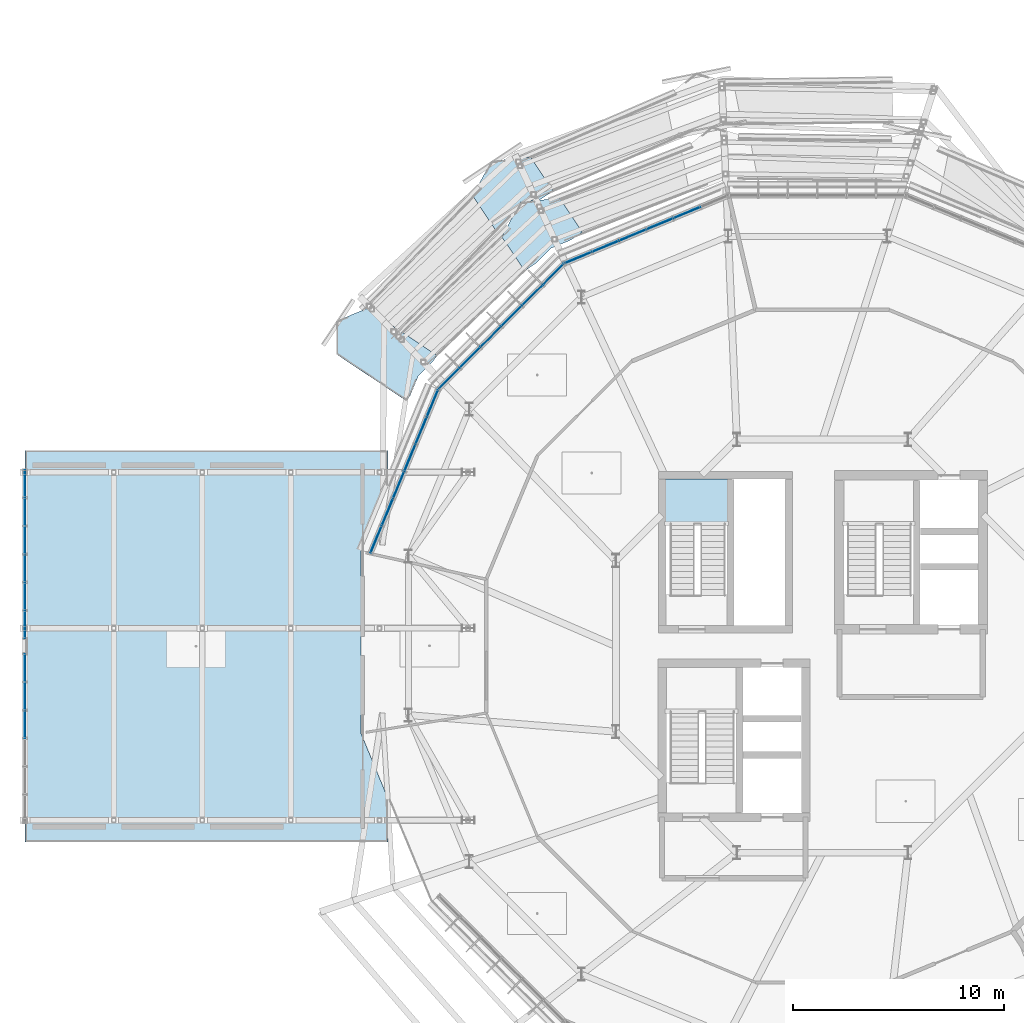
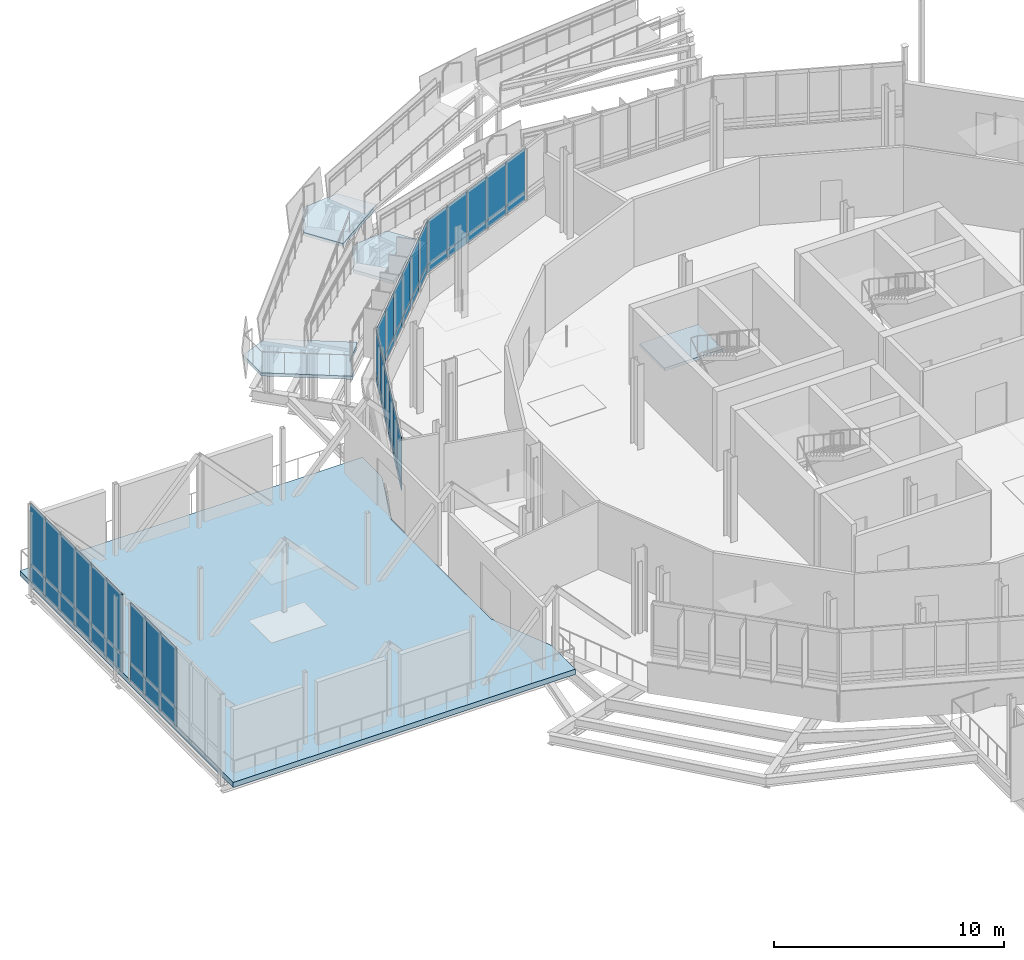
# One storey, part 90 of 139: 52 plates, 5 slabs, 7 elements without a shape of their own.
"""IFC4 building model written with IfcOpenShell, lengths in metres."""

from ifc_helpers import new_model, si_unit, derived_unit, direction, frame, origin, origin_2d, place, context, subcontext, project, spatial, polyline, rectangle, outline, extrude, material, layer, layer_set, type_object, element, aggregate, save


model = new_model("IFC4")

# Units and contexts
model_context = context("Model", 3, precision=1e-05, world=origin(), true_north=direction((0.0, 1.0)))
body_context = subcontext(model_context, "Body", "Model", "MODEL_VIEW")
ifc_project = project(units=[si_unit("LENGTHUNIT", "METRE"), si_unit("AREAUNIT", "SQUARE_METRE"), si_unit("VOLUMEUNIT", "CUBIC_METRE"), si_unit("PLANEANGLEUNIT", "RADIAN"), si_unit("MASSUNIT", "GRAM", prefix="KILO"), derived_unit("THERMALTRANSMITTANCEUNIT", [(si_unit("MASSUNIT", "GRAM", prefix="KILO"), 1), (si_unit("TIMEUNIT", "SECOND"), -3), (si_unit("THERMODYNAMICTEMPERATUREUNIT", "KELVIN"), -1)])], contexts=[model_context])

# Site, building, storey
site_placement = place(None, origin())
site = spatial("IfcSite", under=ifc_project, at=site_placement, CompositionType="ELEMENT")
building_placement = place(site_placement, origin())
building = spatial("IfcBuilding", under=site, at=building_placement, Name="Makaiwela Harbour Ferry Terminal", CompositionType="ELEMENT")
storey_placement = place(building_placement, frame((0.0, 0.0, 5.10009765625)))
storey = spatial("IfcBuildingStorey", under=building, at=storey_placement, Name="L01", CompositionType="ELEMENT", Elevation=5.10009765625)

# Curtain wall, plates
ifc_material_1 = material(Name="Marine anodised aluminium 6063-T6", Category="aluminium")
ifc_layer_1 = layer(ifc_material_1, 0.199951171875)
ifc_layer_set_1 = layer_set([ifc_layer_1], Name="Marine anodised aluminium 6063-T6")
curtain_wall_type_1 = type_object("IfcCurtainWallType", Name="ENV-CW-03", PredefinedType="USERDEFINED", material=ifc_layer_set_1)
curtain_wall_1_placement = place(storey_placement, origin())
curtain_wall_1 = element("IfcCurtainWall", 1, at=curtain_wall_1_placement, inside=storey, type_object=curtain_wall_type_1, Name="Unitised Curtain Wall CWA-013", ObjectType="UNITIZED CURTAIN WALL", PredefinedType="USERDEFINED")
ifc_material_2 = material(Name="Laminated hurricane-impact low-E insulated glazing", Category="glass")
ifc_layer_2 = layer(ifc_material_2, 0.031982421875)
ifc_layer_set_2 = layer_set([ifc_layer_2], Name="Laminated hurricane-impact low-E insulated glazing")
plate_type_1 = type_object("IfcPlateType", Name="CW-PNL-G05", PredefinedType="CURTAIN_PANEL", material=ifc_layer_set_2)
plate_1_placement = place(storey_placement, frame((31.37548828125, 88.15283203125, 1.89990234375), z_axis=(0.0, 0.0, 1.0), x_axis=(-0.923879532511, -0.382683432365, 0.0)))
plate_1 = element("IfcPlate", 2, at=plate_1_placement, type_object=plate_type_1, Name="Glazed Vision Panel CWA-013-2G", PredefinedType="CURTAIN_PANEL", context=body_context, shape_type="SweptSolid", body=[
    extrude(rectangle(XDim=1.39453125, YDim=0.031982421875, at=origin_2d()), origin(), (0.0, 0.0, 1.0), 2.340087890625),
])
plate_2_placement = place(storey_placement, frame((30.087158203125, 87.619140625, 1.89990234375), z_axis=(0.0, 0.0, 1.0), x_axis=(-0.923879532511, -0.382683432365, 0.0)))
plate_2 = element("IfcPlate", 3, at=plate_2_placement, type_object=plate_type_1, Name="Glazed Vision Panel CWA-013-3G", PredefinedType="CURTAIN_PANEL", context=body_context, shape_type="SweptSolid", body=[
    extrude(rectangle(XDim=1.39453125, YDim=0.031982421875, at=origin_2d()), origin(), (0.0, 0.0, 1.0), 2.340087890625),
])
plate_3_placement = place(storey_placement, frame((28.798583984375, 87.08544921875, 1.89990234375), z_axis=(0.0, 0.0, 1.0), x_axis=(-0.923879532511, -0.382683432365, 0.0)))
plate_3 = element("IfcPlate", 4, at=plate_3_placement, type_object=plate_type_1, Name="Glazed Vision Panel CWA-013-4G", PredefinedType="CURTAIN_PANEL", context=body_context, shape_type="SweptSolid", body=[
    extrude(rectangle(XDim=1.39453125, YDim=0.031982421875, at=origin_2d()), origin(), (0.0, 0.0, 1.0), 2.340087890625),
])
plate_4_placement = place(storey_placement, frame((27.510009765625, 86.5517578125, 1.89990234375), z_axis=(0.0, 0.0, 1.0), x_axis=(-0.923879532511, -0.382683432365, 0.0)))
plate_4 = element("IfcPlate", 5, at=plate_4_placement, type_object=plate_type_1, Name="Glazed Vision Panel CWA-013-5G", PredefinedType="CURTAIN_PANEL", context=body_context, shape_type="SweptSolid", body=[
    extrude(rectangle(XDim=1.39453125, YDim=0.031982421875, at=origin_2d()), origin(), (0.0, 0.0, 1.0), 2.340087890625),
])
plate_5_placement = place(storey_placement, frame((26.2216796875, 86.01806640625, 1.89990234375), z_axis=(0.0, 0.0, 1.0), x_axis=(-0.923879532511, -0.382683432365, 0.0)))
plate_5 = element("IfcPlate", 6, at=plate_5_placement, type_object=plate_type_1, Name="Glazed Vision Panel CWA-013-6G", PredefinedType="CURTAIN_PANEL", context=body_context, shape_type="SweptSolid", body=[
    extrude(rectangle(XDim=1.39453125, YDim=0.031982421875, at=origin_2d()), origin(), (0.0, 0.0, 1.0), 2.340087890625),
])

curtain_wall_2_placement = place(storey_placement, origin())
curtain_wall_2 = element("IfcCurtainWall", 7, at=curtain_wall_2_placement, inside=storey, type_object=curtain_wall_type_1, Name="Unitised Curtain Wall CWA-014", ObjectType="UNITIZED CURTAIN WALL", PredefinedType="USERDEFINED")
plate_6_placement = place(storey_placement, frame((25.035400390625, 85.225341796875, 1.89990234375), z_axis=(0.0, 0.0, 1.0), x_axis=(-0.707106781187, -0.707106781187, 0.0)))
plate_6 = element("IfcPlate", 8, at=plate_6_placement, type_object=plate_type_1, Name="Glazed Vision Panel CWA-014-1G", PredefinedType="CURTAIN_PANEL", context=body_context, shape_type="SweptSolid", body=[
    extrude(rectangle(XDim=1.394775390625, YDim=0.031982421875, at=origin_2d()), origin(), (0.0, 0.0, 1.0), 2.340087890625),
])
plate_7_placement = place(storey_placement, frame((24.04931640625, 84.2392578125, 1.89990234375), z_axis=(0.0, 0.0, 1.0), x_axis=(-0.707106781187, -0.707106781187, 0.0)))
plate_7 = element("IfcPlate", 9, at=plate_7_placement, type_object=plate_type_1, Name="Glazed Vision Panel CWA-014-2G", PredefinedType="CURTAIN_PANEL", context=body_context, shape_type="SweptSolid", body=[
    extrude(rectangle(XDim=1.394775390625, YDim=0.031982421875, at=origin_2d()), origin(), (0.0, 0.0, 1.0), 2.340087890625),
])
plate_8_placement = place(storey_placement, frame((23.06298828125, 83.253173828125, 1.89990234375), z_axis=(0.0, 0.0, 1.0), x_axis=(-0.707106781187, -0.707106781187, 0.0)))
plate_8 = element("IfcPlate", 10, at=plate_8_placement, type_object=plate_type_1, Name="Glazed Vision Panel CWA-014-3G", PredefinedType="CURTAIN_PANEL", context=body_context, shape_type="SweptSolid", body=[
    extrude(rectangle(XDim=1.394775390625, YDim=0.031982421875, at=origin_2d()), origin(), (0.0, 0.0, 1.0), 2.340087890625),
])
plate_9_placement = place(storey_placement, frame((22.076904296875, 82.266845703125, 1.89990234375), z_axis=(0.0, 0.0, 1.0), x_axis=(-0.707106781187, -0.707106781187, 0.0)))
plate_9 = element("IfcPlate", 11, at=plate_9_placement, type_object=plate_type_1, Name="Glazed Vision Panel CWA-014-4G", PredefinedType="CURTAIN_PANEL", context=body_context, shape_type="SweptSolid", body=[
    extrude(rectangle(XDim=1.394775390625, YDim=0.031982421875, at=origin_2d()), origin(), (0.0, 0.0, 1.0), 2.340087890625),
])
plate_10_placement = place(storey_placement, frame((21.0908203125, 81.28076171875, 1.89990234375), z_axis=(0.0, 0.0, 1.0), x_axis=(-0.707106781187, -0.707106781187, 0.0)))
plate_10 = element("IfcPlate", 12, at=plate_10_placement, type_object=plate_type_1, Name="Glazed Vision Panel CWA-014-5G", PredefinedType="CURTAIN_PANEL", context=body_context, shape_type="SweptSolid", body=[
    extrude(rectangle(XDim=1.394775390625, YDim=0.031982421875, at=origin_2d()), origin(), (0.0, 0.0, 1.0), 2.340087890625),
])
plate_11_placement = place(storey_placement, frame((20.1044921875, 80.294677734375, 1.89990234375), z_axis=(0.0, 0.0, 1.0), x_axis=(-0.707106781187, -0.707106781187, 0.0)))
plate_11 = element("IfcPlate", 13, at=plate_11_placement, type_object=plate_type_1, Name="Glazed Vision Panel CWA-014-6G", PredefinedType="CURTAIN_PANEL", context=body_context, shape_type="SweptSolid", body=[
    extrude(rectangle(XDim=1.394775390625, YDim=0.031982421875, at=origin_2d()), origin(), (0.0, 0.0, 1.0), 2.340087890625),
])

curtain_wall_3_placement = place(storey_placement, origin())
curtain_wall_3 = element("IfcCurtainWall", 14, at=curtain_wall_3_placement, inside=storey, type_object=curtain_wall_type_1, Name="Unitised Curtain Wall CWA-015", ObjectType="UNITIZED CURTAIN WALL", PredefinedType="USERDEFINED")
plate_12_placement = place(storey_placement, frame((19.31201171875, 79.1083984375, 1.89990234375), z_axis=(0.0, 0.0, 1.0), x_axis=(-0.382683432365, -0.923879532511, 0.0)))
plate_12 = element("IfcPlate", 15, at=plate_12_placement, type_object=plate_type_1, Name="Glazed Vision Panel CWA-015-1G", PredefinedType="CURTAIN_PANEL", context=body_context, shape_type="SweptSolid", body=[
    extrude(rectangle(XDim=1.39453125, YDim=0.031982421875, at=origin_2d()), origin(), (0.0, 0.0, 1.0), 2.340087890625),
])
plate_13_placement = place(storey_placement, frame((18.7783203125, 77.81982421875, 1.89990234375), z_axis=(0.0, 0.0, 1.0), x_axis=(-0.382683432365, -0.923879532511, 0.0)))
plate_13 = element("IfcPlate", 16, at=plate_13_placement, type_object=plate_type_1, Name="Glazed Vision Panel CWA-015-2G", PredefinedType="CURTAIN_PANEL", context=body_context, shape_type="SweptSolid", body=[
    extrude(rectangle(XDim=1.39453125, YDim=0.031982421875, at=origin_2d()), origin(), (0.0, 0.0, 1.0), 2.340087890625),
])
plate_14_placement = place(storey_placement, frame((18.244384765625, 76.531494140625, 1.89990234375), z_axis=(0.0, 0.0, 1.0), x_axis=(-0.382683432365, -0.923879532511, 0.0)))
plate_14 = element("IfcPlate", 17, at=plate_14_placement, type_object=plate_type_1, Name="Glazed Vision Panel CWA-015-3G", PredefinedType="CURTAIN_PANEL", context=body_context, shape_type="SweptSolid", body=[
    extrude(rectangle(XDim=1.39453125, YDim=0.031982421875, at=origin_2d()), origin(), (0.0, 0.0, 1.0), 2.340087890625),
])
plate_15_placement = place(storey_placement, frame((17.710693359375, 75.242919921875, 1.89990234375), z_axis=(0.0, 0.0, 1.0), x_axis=(-0.382683432365, -0.923879532511, 0.0)))
plate_15 = element("IfcPlate", 18, at=plate_15_placement, type_object=plate_type_1, Name="Glazed Vision Panel CWA-015-4G", PredefinedType="CURTAIN_PANEL", context=body_context, shape_type="SweptSolid", body=[
    extrude(rectangle(XDim=1.39453125, YDim=0.031982421875, at=origin_2d()), origin(), (0.0, 0.0, 1.0), 2.340087890625),
])
plate_16_placement = place(storey_placement, frame((17.177001953125, 73.954345703125, 1.89990234375), z_axis=(0.0, 0.0, 1.0), x_axis=(-0.382683432365, -0.923879532511, 0.0)))
plate_16 = element("IfcPlate", 19, at=plate_16_placement, type_object=plate_type_1, Name="Glazed Vision Panel CWA-015-5G", PredefinedType="CURTAIN_PANEL", context=body_context, shape_type="SweptSolid", body=[
    extrude(rectangle(XDim=1.39453125, YDim=0.031982421875, at=origin_2d()), origin(), (0.0, 0.0, 1.0), 2.340087890625),
])
plate_17_placement = place(storey_placement, frame((16.643310546875, 72.666015625, 1.89990234375), z_axis=(0.0, 0.0, 1.0), x_axis=(-0.382683432365, -0.923879532511, 0.0)))
plate_17 = element("IfcPlate", 20, at=plate_17_placement, type_object=plate_type_1, Name="Glazed Vision Panel CWA-015-6G", PredefinedType="CURTAIN_PANEL", context=body_context, shape_type="SweptSolid", body=[
    extrude(rectangle(XDim=1.39453125, YDim=0.031982421875, at=origin_2d()), origin(), (0.0, 0.0, 1.0), 2.340087890625),
])

ifc_layer_3 = layer(ifc_material_1, 0.199951171875)
ifc_layer_set_3 = layer_set([ifc_layer_3], Name="Marine anodised aluminium 6063-T6")
curtain_wall_type_2 = type_object("IfcCurtainWallType", Name="ENV-CW-22", PredefinedType="USERDEFINED", material=ifc_layer_set_3)
curtain_wall_4_placement = place(storey_placement, origin())
curtain_wall_4 = element("IfcCurtainWall", 21, at=curtain_wall_4_placement, inside=storey, type_object=curtain_wall_type_2, Name="Unitised Curtain Wall CWA-136", ObjectType="UNITIZED CURTAIN WALL", PredefinedType="USERDEFINED")
ifc_layer_4 = layer(ifc_material_2, 0.031982421875)
ifc_layer_set_4 = layer_set([ifc_layer_4], Name="Laminated hurricane-impact low-E insulated glazing")
plate_type_2 = type_object("IfcPlateType", Name="CW-PNL-G28", PredefinedType="CURTAIN_PANEL", material=ifc_layer_set_4)
plate_18_placement = place(storey_placement, frame((0.0, 63.902587890625, 0.94970703125), z_axis=(0.0, 0.0, 1.0), x_axis=(0.0, 1.0, 0.0)))
plate_18 = element("IfcPlate", 22, at=plate_18_placement, type_object=plate_type_2, Name="Glazed Vision Panel CWA-136-4G", PredefinedType="CURTAIN_PANEL", context=body_context, shape_type="SweptSolid", body=[
    extrude(rectangle(XDim=1.3349609375, YDim=0.031982421875, at=origin_2d()), origin(), (0.0, 0.0, 1.0), 3.199951171875),
])
plate_19_placement = place(storey_placement, frame((0.0, 65.237548828125, 0.94970703125), z_axis=(0.0, 0.0, 1.0), x_axis=(0.0, 1.0, 0.0)))
plate_19 = element("IfcPlate", 23, at=plate_19_placement, type_object=plate_type_2, Name="Glazed Vision Panel CWA-136-5G", PredefinedType="CURTAIN_PANEL", context=body_context, shape_type="SweptSolid", body=[
    extrude(rectangle(XDim=1.3349609375, YDim=0.031982421875, at=origin_2d()), origin(), (0.0, 0.0, 1.0), 3.199951171875),
])
plate_20_placement = place(storey_placement, frame((0.0, 66.572509765625, 0.94970703125), z_axis=(0.0, 0.0, 1.0), x_axis=(0.0, 1.0, 0.0)))
plate_20 = element("IfcPlate", 24, at=plate_20_placement, type_object=plate_type_2, Name="Glazed Vision Panel CWA-136-6G", PredefinedType="CURTAIN_PANEL", context=body_context, shape_type="SweptSolid", body=[
    extrude(rectangle(XDim=1.3349609375, YDim=0.031982421875, at=origin_2d()), origin(), (0.0, 0.0, 1.0), 3.199951171875),
])

curtain_wall_5_placement = place(storey_placement, origin())
curtain_wall_5 = element("IfcCurtainWall", 25, at=curtain_wall_5_placement, inside=storey, type_object=curtain_wall_type_2, Name="Unitised Curtain Wall CWA-137", ObjectType="UNITIZED CURTAIN WALL", PredefinedType="USERDEFINED")
plate_21_placement = place(storey_placement, frame((0.0, 68.62744140625, 0.94970703125), z_axis=(0.0, 0.0, 1.0), x_axis=(0.0, 1.0, 0.0)))
plate_21 = element("IfcPlate", 26, at=plate_21_placement, type_object=plate_type_2, Name="Glazed Vision Panel CWA-137-1G", PredefinedType="CURTAIN_PANEL", context=body_context, shape_type="SweptSolid", body=[
    extrude(rectangle(XDim=1.3349609375, YDim=0.031982421875, at=origin_2d()), origin(), (0.0, 0.0, 1.0), 3.199951171875),
])
plate_22_placement = place(storey_placement, frame((0.0, 69.96240234375, 0.94970703125), z_axis=(0.0, 0.0, 1.0), x_axis=(0.0, 1.0, 0.0)))
plate_22 = element("IfcPlate", 27, at=plate_22_placement, type_object=plate_type_2, Name="Glazed Vision Panel CWA-137-2G", PredefinedType="CURTAIN_PANEL", context=body_context, shape_type="SweptSolid", body=[
    extrude(rectangle(XDim=1.3349609375, YDim=0.031982421875, at=origin_2d()), origin(), (0.0, 0.0, 1.0), 3.199951171875),
])
plate_23_placement = place(storey_placement, frame((0.0, 71.297607421875, 0.94970703125), z_axis=(0.0, 0.0, 1.0), x_axis=(0.0, 1.0, 0.0)))
plate_23 = element("IfcPlate", 28, at=plate_23_placement, type_object=plate_type_2, Name="Glazed Vision Panel CWA-137-3G", PredefinedType="CURTAIN_PANEL", context=body_context, shape_type="SweptSolid", body=[
    extrude(rectangle(XDim=1.3349609375, YDim=0.031982421875, at=origin_2d()), origin(), (0.0, 0.0, 1.0), 3.199951171875),
])
plate_24_placement = place(storey_placement, frame((0.0, 72.632568359375, 0.94970703125), z_axis=(0.0, 0.0, 1.0), x_axis=(0.0, 1.0, 0.0)))
plate_24 = element("IfcPlate", 29, at=plate_24_placement, type_object=plate_type_2, Name="Glazed Vision Panel CWA-137-4G", PredefinedType="CURTAIN_PANEL", context=body_context, shape_type="SweptSolid", body=[
    extrude(rectangle(XDim=1.3349609375, YDim=0.031982421875, at=origin_2d()), origin(), (0.0, 0.0, 1.0), 3.199951171875),
])
plate_25_placement = place(storey_placement, frame((0.0, 73.967529296875, 0.94970703125), z_axis=(0.0, 0.0, 1.0), x_axis=(0.0, 1.0, 0.0)))
plate_25 = element("IfcPlate", 30, at=plate_25_placement, type_object=plate_type_2, Name="Glazed Vision Panel CWA-137-5G", PredefinedType="CURTAIN_PANEL", context=body_context, shape_type="SweptSolid", body=[
    extrude(rectangle(XDim=1.3349609375, YDim=0.031982421875, at=origin_2d()), origin(), (0.0, 0.0, 1.0), 3.199951171875),
])
plate_26_placement = place(storey_placement, frame((0.0, 75.302490234375, 0.94970703125), z_axis=(0.0, 0.0, 1.0), x_axis=(0.0, 1.0, 0.0)))
plate_26 = element("IfcPlate", 31, at=plate_26_placement, type_object=plate_type_2, Name="Glazed Vision Panel CWA-137-6G", PredefinedType="CURTAIN_PANEL", context=body_context, shape_type="SweptSolid", body=[
    extrude(rectangle(XDim=1.3349609375, YDim=0.031982421875, at=origin_2d()), origin(), (0.0, 0.0, 1.0), 3.199951171875),
])

# Plate
ifc_material_3 = material(Name="Insulated marine aluminium spandrel panel", Category="aluminium")
ifc_layer_5 = layer(ifc_material_3, 0.048095703125)
ifc_layer_set_5 = layer_set([ifc_layer_5], Name="Insulated marine aluminium spandrel panel")
plate_type_3 = type_object("IfcPlateType", Name="CW-PNL-S04", PredefinedType="CURTAIN_PANEL", material=ifc_layer_set_5)
plate_27_placement = place(storey_placement, frame((31.37548828125, 88.15283203125, 1.47998046875), z_axis=(0.0, 0.0, 1.0), x_axis=(-0.923879532511, -0.382683432365, 0.0)))
plate_27 = element("IfcPlate", 32, at=plate_27_placement, type_object=plate_type_3, Name="Spandrel Panel CWA-013-2S", PredefinedType="CURTAIN_PANEL", context=body_context, shape_type="SweptSolid", body=[
    extrude(rectangle(XDim=1.39453125, YDim=0.048095703125, at=origin_2d()), origin(), (0.0, 0.0, 1.0), 0.419921875),
])

plate_28_placement = place(storey_placement, frame((30.087158203125, 87.619140625, 1.47998046875), z_axis=(0.0, 0.0, 1.0), x_axis=(-0.923879532511, -0.382683432365, 0.0)))
plate_28 = element("IfcPlate", 33, at=plate_28_placement, type_object=plate_type_3, Name="Spandrel Panel CWA-013-3S", PredefinedType="CURTAIN_PANEL", context=body_context, shape_type="SweptSolid", body=[
    extrude(rectangle(XDim=1.39453125, YDim=0.048095703125, at=origin_2d()), origin(), (0.0, 0.0, 1.0), 0.419921875),
])

plate_29_placement = place(storey_placement, frame((28.798583984375, 87.08544921875, 1.47998046875), z_axis=(0.0, 0.0, 1.0), x_axis=(-0.923879532511, -0.382683432365, 0.0)))
plate_29 = element("IfcPlate", 34, at=plate_29_placement, type_object=plate_type_3, Name="Spandrel Panel CWA-013-4S", PredefinedType="CURTAIN_PANEL", context=body_context, shape_type="SweptSolid", body=[
    extrude(rectangle(XDim=1.39453125, YDim=0.048095703125, at=origin_2d()), origin(), (0.0, 0.0, 1.0), 0.419921875),
])

plate_30_placement = place(storey_placement, frame((27.510009765625, 86.5517578125, 1.47998046875), z_axis=(0.0, 0.0, 1.0), x_axis=(-0.923879532511, -0.382683432365, 0.0)))
plate_30 = element("IfcPlate", 35, at=plate_30_placement, type_object=plate_type_3, Name="Spandrel Panel CWA-013-5S", PredefinedType="CURTAIN_PANEL", context=body_context, shape_type="SweptSolid", body=[
    extrude(rectangle(XDim=1.39453125, YDim=0.048095703125, at=origin_2d()), origin(), (0.0, 0.0, 1.0), 0.419921875),
])

plate_31_placement = place(storey_placement, frame((26.2216796875, 86.01806640625, 1.47998046875), z_axis=(0.0, 0.0, 1.0), x_axis=(-0.923879532511, -0.382683432365, 0.0)))
plate_31 = element("IfcPlate", 36, at=plate_31_placement, type_object=plate_type_3, Name="Spandrel Panel CWA-013-6S", PredefinedType="CURTAIN_PANEL", context=body_context, shape_type="SweptSolid", body=[
    extrude(rectangle(XDim=1.39453125, YDim=0.048095703125, at=origin_2d()), origin(), (0.0, 0.0, 1.0), 0.419921875),
])

aggregate(curtain_wall_1, [plate_27, plate_1, plate_28, plate_2, plate_29, plate_3, plate_30, plate_4, plate_31, plate_5])

plate_32_placement = place(storey_placement, frame((25.035400390625, 85.225341796875, 1.47998046875), z_axis=(0.0, 0.0, 1.0), x_axis=(-0.707106781187, -0.707106781187, 0.0)))
plate_32 = element("IfcPlate", 37, at=plate_32_placement, type_object=plate_type_3, Name="Spandrel Panel CWA-014-1S", PredefinedType="CURTAIN_PANEL", context=body_context, shape_type="SweptSolid", body=[
    extrude(rectangle(XDim=1.394775390625, YDim=0.048095703125, at=origin_2d()), origin(), (0.0, 0.0, 1.0), 0.419921875),
])

plate_33_placement = place(storey_placement, frame((24.04931640625, 84.2392578125, 1.47998046875), z_axis=(0.0, 0.0, 1.0), x_axis=(-0.707106781187, -0.707106781187, 0.0)))
plate_33 = element("IfcPlate", 38, at=plate_33_placement, type_object=plate_type_3, Name="Spandrel Panel CWA-014-2S", PredefinedType="CURTAIN_PANEL", context=body_context, shape_type="SweptSolid", body=[
    extrude(rectangle(XDim=1.394775390625, YDim=0.048095703125, at=origin_2d()), origin(), (0.0, 0.0, 1.0), 0.419921875),
])

plate_34_placement = place(storey_placement, frame((23.06298828125, 83.253173828125, 1.47998046875), z_axis=(0.0, 0.0, 1.0), x_axis=(-0.707106781187, -0.707106781187, 0.0)))
plate_34 = element("IfcPlate", 39, at=plate_34_placement, type_object=plate_type_3, Name="Spandrel Panel CWA-014-3S", PredefinedType="CURTAIN_PANEL", context=body_context, shape_type="SweptSolid", body=[
    extrude(rectangle(XDim=1.394775390625, YDim=0.048095703125, at=origin_2d()), origin(), (0.0, 0.0, 1.0), 0.419921875),
])

plate_35_placement = place(storey_placement, frame((22.076904296875, 82.266845703125, 1.47998046875), z_axis=(0.0, 0.0, 1.0), x_axis=(-0.707106781187, -0.707106781187, 0.0)))
plate_35 = element("IfcPlate", 40, at=plate_35_placement, type_object=plate_type_3, Name="Spandrel Panel CWA-014-4S", PredefinedType="CURTAIN_PANEL", context=body_context, shape_type="SweptSolid", body=[
    extrude(rectangle(XDim=1.394775390625, YDim=0.048095703125, at=origin_2d()), origin(), (0.0, 0.0, 1.0), 0.419921875),
])

plate_36_placement = place(storey_placement, frame((21.0908203125, 81.28076171875, 1.47998046875), z_axis=(0.0, 0.0, 1.0), x_axis=(-0.707106781187, -0.707106781187, 0.0)))
plate_36 = element("IfcPlate", 41, at=plate_36_placement, type_object=plate_type_3, Name="Spandrel Panel CWA-014-5S", PredefinedType="CURTAIN_PANEL", context=body_context, shape_type="SweptSolid", body=[
    extrude(rectangle(XDim=1.394775390625, YDim=0.048095703125, at=origin_2d()), origin(), (0.0, 0.0, 1.0), 0.419921875),
])

plate_37_placement = place(storey_placement, frame((20.1044921875, 80.294677734375, 1.47998046875), z_axis=(0.0, 0.0, 1.0), x_axis=(-0.707106781187, -0.707106781187, 0.0)))
plate_37 = element("IfcPlate", 42, at=plate_37_placement, type_object=plate_type_3, Name="Spandrel Panel CWA-014-6S", PredefinedType="CURTAIN_PANEL", context=body_context, shape_type="SweptSolid", body=[
    extrude(rectangle(XDim=1.394775390625, YDim=0.048095703125, at=origin_2d()), origin(), (0.0, 0.0, 1.0), 0.419921875),
])

aggregate(curtain_wall_2, [plate_32, plate_6, plate_33, plate_7, plate_34, plate_8, plate_35, plate_9, plate_36, plate_10, plate_37, plate_11])

plate_38_placement = place(storey_placement, frame((19.31201171875, 79.1083984375, 1.47998046875), z_axis=(0.0, 0.0, 1.0), x_axis=(-0.382683432365, -0.923879532511, 0.0)))
plate_38 = element("IfcPlate", 43, at=plate_38_placement, type_object=plate_type_3, Name="Spandrel Panel CWA-015-1S", PredefinedType="CURTAIN_PANEL", context=body_context, shape_type="SweptSolid", body=[
    extrude(rectangle(XDim=1.39453125, YDim=0.048095703125, at=origin_2d()), origin(), (0.0, 0.0, 1.0), 0.419921875),
])

plate_39_placement = place(storey_placement, frame((18.7783203125, 77.81982421875, 1.47998046875), z_axis=(0.0, 0.0, 1.0), x_axis=(-0.382683432365, -0.923879532511, 0.0)))
plate_39 = element("IfcPlate", 44, at=plate_39_placement, type_object=plate_type_3, Name="Spandrel Panel CWA-015-2S", PredefinedType="CURTAIN_PANEL", context=body_context, shape_type="SweptSolid", body=[
    extrude(rectangle(XDim=1.39453125, YDim=0.048095703125, at=origin_2d()), origin(), (0.0, 0.0, 1.0), 0.419921875),
])

plate_40_placement = place(storey_placement, frame((18.244384765625, 76.531494140625, 1.47998046875), z_axis=(0.0, 0.0, 1.0), x_axis=(-0.382683432365, -0.923879532511, 0.0)))
plate_40 = element("IfcPlate", 45, at=plate_40_placement, type_object=plate_type_3, Name="Spandrel Panel CWA-015-3S", PredefinedType="CURTAIN_PANEL", context=body_context, shape_type="SweptSolid", body=[
    extrude(rectangle(XDim=1.39453125, YDim=0.048095703125, at=origin_2d()), origin(), (0.0, 0.0, 1.0), 0.419921875),
])

plate_41_placement = place(storey_placement, frame((17.710693359375, 75.242919921875, 1.47998046875), z_axis=(0.0, 0.0, 1.0), x_axis=(-0.382683432365, -0.923879532511, 0.0)))
plate_41 = element("IfcPlate", 46, at=plate_41_placement, type_object=plate_type_3, Name="Spandrel Panel CWA-015-4S", PredefinedType="CURTAIN_PANEL", context=body_context, shape_type="SweptSolid", body=[
    extrude(rectangle(XDim=1.39453125, YDim=0.048095703125, at=origin_2d()), origin(), (0.0, 0.0, 1.0), 0.419921875),
])

plate_42_placement = place(storey_placement, frame((17.177001953125, 73.954345703125, 1.47998046875), z_axis=(0.0, 0.0, 1.0), x_axis=(-0.382683432365, -0.923879532511, 0.0)))
plate_42 = element("IfcPlate", 47, at=plate_42_placement, type_object=plate_type_3, Name="Spandrel Panel CWA-015-5S", PredefinedType="CURTAIN_PANEL", context=body_context, shape_type="SweptSolid", body=[
    extrude(rectangle(XDim=1.39453125, YDim=0.048095703125, at=origin_2d()), origin(), (0.0, 0.0, 1.0), 0.419921875),
])

plate_43_placement = place(storey_placement, frame((16.643310546875, 72.666015625, 1.47998046875), z_axis=(0.0, 0.0, 1.0), x_axis=(-0.382683432365, -0.923879532511, 0.0)))
plate_43 = element("IfcPlate", 48, at=plate_43_placement, type_object=plate_type_3, Name="Spandrel Panel CWA-015-6S", PredefinedType="CURTAIN_PANEL", context=body_context, shape_type="SweptSolid", body=[
    extrude(rectangle(XDim=1.39453125, YDim=0.048095703125, at=origin_2d()), origin(), (0.0, 0.0, 1.0), 0.419921875),
])

aggregate(curtain_wall_3, [plate_38, plate_12, plate_39, plate_13, plate_40, plate_14, plate_41, plate_15, plate_42, plate_16, plate_43, plate_17])

ifc_layer_6 = layer(ifc_material_3, 0.048095703125)
ifc_layer_set_6 = layer_set([ifc_layer_6], Name="Insulated marine aluminium spandrel panel")
plate_type_4 = type_object("IfcPlateType", Name="CW-PNL-S27", PredefinedType="CURTAIN_PANEL", material=ifc_layer_set_6)
plate_44_placement = place(storey_placement, frame((0.0, 63.902587890625, 0.0), z_axis=(0.0, 0.0, 1.0), x_axis=(0.0, 1.0, 0.0)))
plate_44 = element("IfcPlate", 49, at=plate_44_placement, type_object=plate_type_4, Name="Spandrel Panel CWA-136-4S", PredefinedType="CURTAIN_PANEL", context=body_context, shape_type="SweptSolid", body=[
    extrude(rectangle(XDim=1.3349609375, YDim=0.048095703125, at=origin_2d()), origin(), (0.0, 0.0, 1.0), 0.949951171875),
])

plate_45_placement = place(storey_placement, frame((0.0, 65.237548828125, 0.0), z_axis=(0.0, 0.0, 1.0), x_axis=(0.0, 1.0, 0.0)))
plate_45 = element("IfcPlate", 50, at=plate_45_placement, type_object=plate_type_4, Name="Spandrel Panel CWA-136-5S", PredefinedType="CURTAIN_PANEL", context=body_context, shape_type="SweptSolid", body=[
    extrude(rectangle(XDim=1.3349609375, YDim=0.048095703125, at=origin_2d()), origin(), (0.0, 0.0, 1.0), 0.949951171875),
])

plate_46_placement = place(storey_placement, frame((0.0, 66.572509765625, 0.0), z_axis=(0.0, 0.0, 1.0), x_axis=(0.0, 1.0, 0.0)))
plate_46 = element("IfcPlate", 51, at=plate_46_placement, type_object=plate_type_4, Name="Spandrel Panel CWA-136-6S", PredefinedType="CURTAIN_PANEL", context=body_context, shape_type="SweptSolid", body=[
    extrude(rectangle(XDim=1.3349609375, YDim=0.048095703125, at=origin_2d()), origin(), (0.0, 0.0, 1.0), 0.949951171875),
])

aggregate(curtain_wall_4, [plate_44, plate_18, plate_45, plate_19, plate_46, plate_20])

plate_47_placement = place(storey_placement, frame((0.0, 68.62744140625, 0.0), z_axis=(0.0, 0.0, 1.0), x_axis=(0.0, 1.0, 0.0)))
plate_47 = element("IfcPlate", 52, at=plate_47_placement, type_object=plate_type_4, Name="Spandrel Panel CWA-137-1S", PredefinedType="CURTAIN_PANEL", context=body_context, shape_type="SweptSolid", body=[
    extrude(rectangle(XDim=1.3349609375, YDim=0.048095703125, at=origin_2d()), origin(), (0.0, 0.0, 1.0), 0.949951171875),
])

plate_48_placement = place(storey_placement, frame((0.0, 69.96240234375, 0.0), z_axis=(0.0, 0.0, 1.0), x_axis=(0.0, 1.0, 0.0)))
plate_48 = element("IfcPlate", 53, at=plate_48_placement, type_object=plate_type_4, Name="Spandrel Panel CWA-137-2S", PredefinedType="CURTAIN_PANEL", context=body_context, shape_type="SweptSolid", body=[
    extrude(rectangle(XDim=1.3349609375, YDim=0.048095703125, at=origin_2d()), origin(), (0.0, 0.0, 1.0), 0.949951171875),
])

plate_49_placement = place(storey_placement, frame((0.0, 71.297607421875, 0.0), z_axis=(0.0, 0.0, 1.0), x_axis=(0.0, 1.0, 0.0)))
plate_49 = element("IfcPlate", 54, at=plate_49_placement, type_object=plate_type_4, Name="Spandrel Panel CWA-137-3S", PredefinedType="CURTAIN_PANEL", context=body_context, shape_type="SweptSolid", body=[
    extrude(rectangle(XDim=1.3349609375, YDim=0.048095703125, at=origin_2d()), origin(), (0.0, 0.0, 1.0), 0.949951171875),
])

plate_50_placement = place(storey_placement, frame((0.0, 72.632568359375, 0.0), z_axis=(0.0, 0.0, 1.0), x_axis=(0.0, 1.0, 0.0)))
plate_50 = element("IfcPlate", 55, at=plate_50_placement, type_object=plate_type_4, Name="Spandrel Panel CWA-137-4S", PredefinedType="CURTAIN_PANEL", context=body_context, shape_type="SweptSolid", body=[
    extrude(rectangle(XDim=1.3349609375, YDim=0.048095703125, at=origin_2d()), origin(), (0.0, 0.0, 1.0), 0.949951171875),
])

plate_51_placement = place(storey_placement, frame((0.0, 73.967529296875, 0.0), z_axis=(0.0, 0.0, 1.0), x_axis=(0.0, 1.0, 0.0)))
plate_51 = element("IfcPlate", 56, at=plate_51_placement, type_object=plate_type_4, Name="Spandrel Panel CWA-137-5S", PredefinedType="CURTAIN_PANEL", context=body_context, shape_type="SweptSolid", body=[
    extrude(rectangle(XDim=1.3349609375, YDim=0.048095703125, at=origin_2d()), origin(), (0.0, 0.0, 1.0), 0.949951171875),
])

plate_52_placement = place(storey_placement, frame((0.0, 75.302490234375, 0.0), z_axis=(0.0, 0.0, 1.0), x_axis=(0.0, 1.0, 0.0)))
plate_52 = element("IfcPlate", 57, at=plate_52_placement, type_object=plate_type_4, Name="Spandrel Panel CWA-137-6S", PredefinedType="CURTAIN_PANEL", context=body_context, shape_type="SweptSolid", body=[
    extrude(rectangle(XDim=1.3349609375, YDim=0.048095703125, at=origin_2d()), origin(), (0.0, 0.0, 1.0), 0.949951171875),
])

aggregate(curtain_wall_5, [plate_47, plate_21, plate_48, plate_22, plate_49, plate_23, plate_50, plate_24, plate_51, plate_25, plate_52, plate_26])

# Slab
ifc_material_4 = material(Name="Concrete f'c 35 MPa (5000 psi)", Category="concrete")
ifc_layer_7 = layer(ifc_material_4, 0.280029296875)
ifc_layer_set_7 = layer_set([ifc_layer_7], Name="Concrete f'c 35 MPa (5000 psi)")
slab_type_1 = type_object("IfcSlabType", Name="SLB-FLR-280", PredefinedType="FLOOR", material=ifc_layer_set_7)
slab_1_placement = place(storey_placement, frame((0.0, 0.0, -0.280029296875)))
element("IfcSlab", 58, at=slab_1_placement, inside=storey, type_object=slab_type_1, Name="Slab SLB-013", PredefinedType="FLOOR", context=body_context, shape_type="SweptSolid", body=[
    extrude(outline(polyline([(17.199951171875, 60.391845703125), (15.921630859375, 63.478271484375), (15.921875, 72.08251953125), (17.199951171875, 75.168212890625), (17.199951171875, 76.8798828125), (0.0, 76.8798828125), (0.0, 58.320068359375), (17.199951171875, 58.320068359375), (17.199951171875, 60.391845703125)])), origin(), (0.0, 0.0, 1.0), 0.280029296875),
])

# Stair, slab
stair_type = type_object("IfcStairType", Name="CIR-STR-A06", PredefinedType="HALF_TURN_STAIR", material=ifc_material_4)
stair_placement = place(storey_placement, origin())
stair = element("IfcStair", 59, at=stair_placement, inside=storey, type_object=stair_type, Name="Stair ST-03-L01", PredefinedType="HALF_TURN_STAIR")
ifc_layer_8 = layer(ifc_material_4, 0.14990234375)
ifc_layer_set_8 = layer_set([ifc_layer_8], Name="Concrete f'c 35 MPa (5000 psi)")
slab_type_2 = type_object("IfcSlabType", Name="SLB-LND-150", PredefinedType="LANDING", material=ifc_layer_set_8)
slab_2_placement = place(storey_placement, frame((0.0, 0.0, 2.099853515625)))
slab_2 = element("IfcSlab", 60, at=slab_2_placement, type_object=slab_type_2, Name="Stair Half Landing LND-12", PredefinedType="LANDING", context=body_context, shape_type="SweptSolid", body=[
    extrude(outline(polyline([(30.364990234375, 73.3701171875), (33.294921875, 73.3701171875), (33.294921875, 75.534912109375), (30.364990234375, 75.534912109375), (30.364990234375, 73.3701171875)])), origin(), (0.0, 0.0, 1.0), 0.150146484375),
])
aggregate(stair, [slab_2])

# Ramp, slabs
ramp_type = type_object("IfcRampType", Name="CIR-RMP-ASSY", PredefinedType="STRAIGHT_RUN_RAMP", material=ifc_material_4)
ramp_placement = place(storey_placement, origin())
ramp = element("IfcRamp", 61, at=ramp_placement, inside=storey, type_object=ramp_type, Name="External Coiled Promenade Ramp L01 to L02", PredefinedType="STRAIGHT_RUN_RAMP")
ifc_layer_9 = layer(ifc_material_4, 0.169921875)
ifc_layer_set_9 = layer_set([ifc_layer_9], Name="Concrete f'c 35 MPa (5000 psi)")
slab_type_3 = type_object("IfcSlabType", Name="SLB-LND-170", PredefinedType="LANDING", material=ifc_layer_set_9)
slab_3_placement = place(storey_placement, frame((0.0, 0.0, 1.758544921875)))
slab_3 = element("IfcSlab", 62, at=slab_3_placement, type_object=slab_type_3, Name="Promenade Ramp Landing RMP-COIL-L01-LI3", PredefinedType="LANDING", context=body_context, shape_type="SweptSolid", body=[
    extrude(outline(polyline([(24.245361328125, 85.77490234375), (24.941162109375, 86.470458984375), (24.941162109375, 86.470703125), (24.94140625, 86.470703125), (24.941650390625, 86.470947265625), (24.941650390625, 86.470947265625), (25.8505859375, 86.847412109375), (26.419921875, 87.227783203125), (25.34228515625, 88.8408203125), (23.48681640625, 88.647705078125), (22.598388671875, 87.007568359375), (23.67626953125, 85.39453125), (24.245361328125, 85.77490234375)])), origin(), (0.0, 0.0, 1.0), 0.169921875),
])
slab_4_placement = place(storey_placement, frame((0.0, 0.0, 2.4013671875)))
slab_4 = element("IfcSlab", 63, at=slab_4_placement, type_object=slab_type_3, Name="Promenade Ramp Landing RMP-COIL-L01-UTURN", PredefinedType="LANDING", context=body_context, shape_type="SweptSolid", body=[
    extrude(outline(polyline([(18.266845703125, 79.501220703125), (18.6435546875, 80.41015625), (18.6435546875, 80.410400390625), (18.6435546875, 80.410400390625), (18.643798828125, 80.41064453125), (18.643798828125, 80.410888671875), (19.339599609375, 81.106689453125), (19.525390625, 81.384765625), (16.19970703125, 83.60693359375), (14.75390625, 83.009521484375), (14.755126953125, 81.4453125), (18.0810546875, 79.222900390625), (18.266845703125, 79.501220703125)])), origin(), (0.0, 0.0, 1.0), 0.169921875),
])
slab_5_placement = place(storey_placement, frame((0.0, 0.0, 3.044189453125)))
slab_5 = element("IfcSlab", 64, at=slab_5_placement, type_object=slab_type_3, Name="Promenade Ramp Landing RMP-COIL-L01-LO1", PredefinedType="LANDING", context=body_context, shape_type="SweptSolid", body=[
    extrude(outline(polyline([(25.031982421875, 89.185791015625), (23.959716796875, 90.79052734375), (22.1044921875, 90.59716796875), (21.2158203125, 88.957275390625), (22.2880859375, 87.352294921875), (25.031982421875, 89.185791015625)])), origin(), (0.0, 0.0, 1.0), 0.169921875),
])
aggregate(ramp, [slab_3, slab_4, slab_5])

save(model, "model.ifc")
